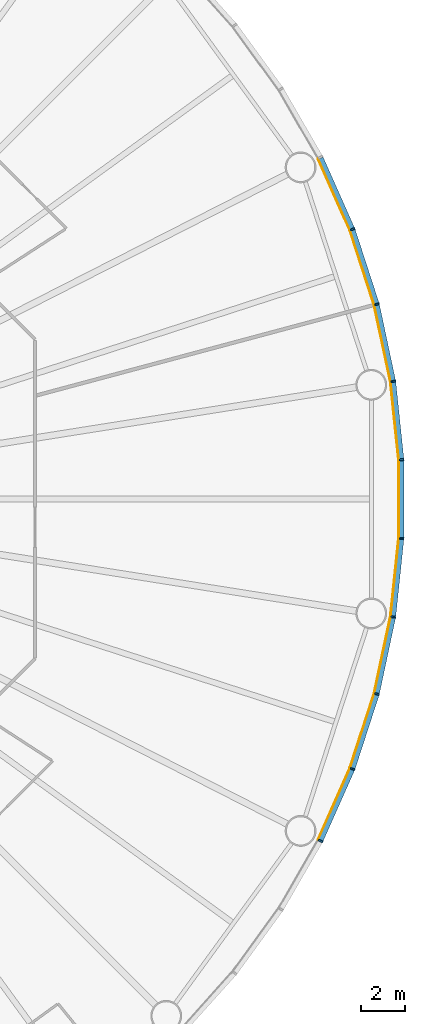
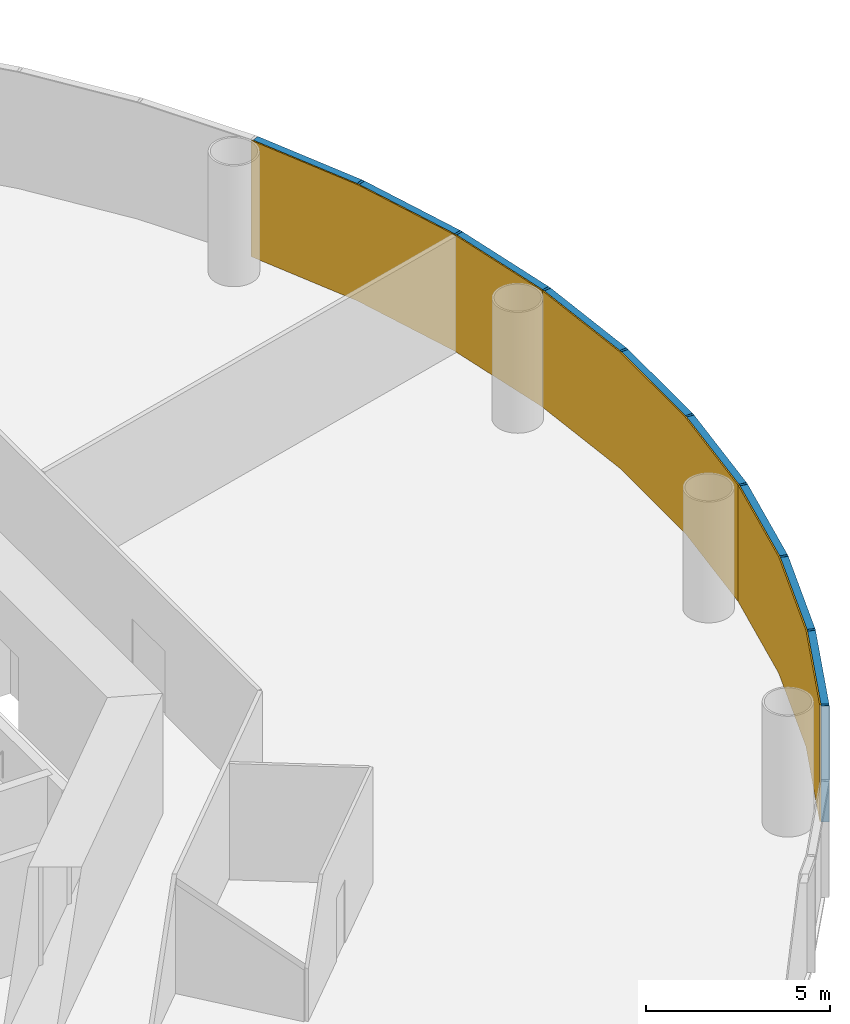
# One storey, part 11 of 13: 18 members, 3 curtain walls.
"""IFC4 building model written with IfcOpenShell, lengths in metres."""

import ifcopenshell
import ifcopenshell.guid

model = None  # the IFC model being written
_history = None  # IfcOwnerHistory: only IFC2X3 demands one
_inside = {}  # id of a spatial element -> (the spatial element, [elements in it])
_under = {}  # id of a project, library or spatial element -> (it, [spatial elements below it])
_declared = {}  # id of a project -> (the project, [libraries it declares])
_typed = {}  # id of a type object -> (the type object, [elements of that type])
_made_of = {}  # id of a material, layer set ... -> (it, [elements and type objects made of it])


def new_model(schema):
    """Start an empty IFC model of exactly this schema.

    Asked for "IFC4X3", IfcOpenShell would pick the latest addendum, in which some entities
    have other attributes; the version numbers below select the first issue.
    IFC2X3 requires an IfcOwnerHistory on every rooted entity: one is made here for all.
    """
    global model, _history
    if schema == "IFC4X3":
        model = ifcopenshell.file(schema_version=(4, 3, 0, 0))
    else:
        model = ifcopenshell.file(schema=schema)
    _inside.clear()
    _under.clear()
    _declared.clear()
    _typed.clear()
    _made_of.clear()
    _history = None
    if model.schema == "IFC2X3":
        org = make("IfcOrganization", Name="unknown")
        user = make(
            "IfcPersonAndOrganization",
            ThePerson=make("IfcPerson", FamilyName="unknown"),
            TheOrganization=org,
        )
        app = make(
            "IfcApplication",
            ApplicationDeveloper=org,
            Version="unknown",
            ApplicationFullName="unknown",
            ApplicationIdentifier="unknown",
        )
        _history = make(
            "IfcOwnerHistory",
            OwningUser=user,
            OwningApplication=app,
            ChangeAction="ADDED",
            CreationDate=0,
        )
    return model


def make(cls, **values):
    """One entity of the class cls with the attributes given. An attribute that is None is left unset."""
    return model.create_entity(
        cls, **{name: value for name, value in values.items() if value is not None}
    )


def rooted(cls, **values):
    """An entity with a GlobalId (a new one), such as an element, a storey or a relation."""
    return make(cls, GlobalId=ifcopenshell.guid.new(), OwnerHistory=_history, **values)


def si_unit(unit_type, name, prefix=None):
    """IfcSIUnit, for example si_unit("LENGTHUNIT", "METRE", prefix="MILLI")."""
    return make("IfcSIUnit", UnitType=unit_type, Prefix=prefix, Name=name)


def assignment(units):
    """IfcUnitAssignment: the units of a project."""
    return None if units is None else make("IfcUnitAssignment", Units=units)


def point(xyz):
    """IfcCartesianPoint."""
    return None if xyz is None else make("IfcCartesianPoint", Coordinates=xyz)


def direction(xyz):
    """IfcDirection."""
    return None if xyz is None else make("IfcDirection", DirectionRatios=xyz)


def frame(location, z_axis=None, x_axis=None):
    """IfcAxis2Placement3D, a coordinate frame: its origin and axes. An axis left out is left unset."""
    return make(
        "IfcAxis2Placement3D",
        Location=point(location),
        Axis=direction(z_axis),
        RefDirection=direction(x_axis),
    )


def frame_2d(location, x_axis=None):
    """IfcAxis2Placement2D, a coordinate frame in the plane: its origin and x axis."""
    return make(
        "IfcAxis2Placement2D", Location=point(location), RefDirection=direction(x_axis)
    )


def origin():
    """The frame at (0, 0, 0) with its axes left unset."""
    return frame((0.0, 0.0, 0.0))


def origin_2d():
    """The frame at (0, 0) in the plane with its x axis left unset."""
    return frame_2d((0.0, 0.0))


def place(relative_to, where):
    """IfcLocalPlacement: puts the frame where relative to a parent placement (None: the world)."""
    return make(
        "IfcLocalPlacement", PlacementRelTo=relative_to, RelativePlacement=where
    )


def context(
    kind, dimensions, precision=None, world=None, true_north=None, identifier=None
):
    """IfcGeometricRepresentationContext, for example the 3D "Model" context."""
    return make(
        "IfcGeometricRepresentationContext",
        ContextIdentifier=identifier,
        ContextType=kind,
        CoordinateSpaceDimension=dimensions,
        Precision=precision,
        WorldCoordinateSystem=world,
        TrueNorth=true_north,
    )


def subcontext(parent, identifier, kind, view, scale=None):
    """IfcGeometricRepresentationSubContext, for example "Body" below "Model"."""
    return make(
        "IfcGeometricRepresentationSubContext",
        ContextIdentifier=identifier,
        ContextType=kind,
        ParentContext=parent,
        TargetScale=scale,
        TargetView=view,
    )


def project(units=None, contexts=None):
    """IfcProject with its units and contexts."""
    return rooted(
        "IfcProject",
        Name="project",
        RepresentationContexts=contexts,
        UnitsInContext=assignment(units),
    )


def spatial(cls, under=None, at=None, **own):
    """A site, building, storey or space (cls), placed at a placement, below another one or the project."""
    s = rooted(cls, ObjectPlacement=at, **own)
    if under is not None:
        _under.setdefault(under.id(), (under, []))[1].append(s)
    return s


def polyline(points):
    """IfcPolyline through the points."""
    return make("IfcPolyline", Points=[point(p) for p in points])


def profile(cls, at=None, kind="AREA", **sizes):
    """A parametric profile (cls). Its sizes go by their IFC names, for example OverallWidth=200.0."""
    return make(cls, ProfileType=kind, Position=at, **sizes)


def rectangle(**sizes):
    """IfcRectangleProfileDef."""
    return profile("IfcRectangleProfileDef", **sizes)


def outline(outer, holes=None, kind="AREA"):
    """IfcArbitraryClosedProfileDef: a profile drawn as a closed curve; with holes, ...WithVoids."""
    if holes is None:
        return make("IfcArbitraryClosedProfileDef", ProfileType=kind, OuterCurve=outer)
    return make(
        "IfcArbitraryProfileDefWithVoids",
        ProfileType=kind,
        OuterCurve=outer,
        InnerCurves=holes,
    )


def extrude(swept, where, along, depth):
    """IfcExtrudedAreaSolid: the profile swept, set in the frame where, extruded along a direction by depth."""
    return make(
        "IfcExtrudedAreaSolid",
        SweptArea=swept,
        Position=where,
        ExtrudedDirection=direction(along),
        Depth=depth,
    )


def shape(context_of_items, identifier, shape_type, items):
    """IfcShapeRepresentation: the items that make up one representation, for example the "Body"."""
    return make(
        "IfcShapeRepresentation",
        ContextOfItems=context_of_items,
        RepresentationIdentifier=identifier,
        RepresentationType=shape_type,
        Items=items,
    )


def material(Name=None, Category=None):
    """IfcMaterial."""
    return make("IfcMaterial", Name=Name, Category=Category)


def layer(
    of_material, thickness, ventilated=None, Name=None, Category=None, Priority=None
):
    """IfcMaterialLayer: one layer of a wall or slab, of a material (None: an air gap)."""
    return make(
        "IfcMaterialLayer",
        Material=of_material,
        LayerThickness=thickness,
        IsVentilated=ventilated,
        Name=Name,
        Category=Category,
        Priority=Priority,
    )


def layer_set(layers, Name=None):
    """IfcMaterialLayerSet."""
    return make("IfcMaterialLayerSet", MaterialLayers=layers, LayerSetName=Name)


def material_profile(
    of_material, cross_section, Name=None, Category=None, Priority=None
):
    """IfcMaterialProfile: a cross section and its material."""
    return make(
        "IfcMaterialProfile",
        Name=Name,
        Material=of_material,
        Profile=cross_section,
        Priority=Priority,
        Category=Category,
    )


def profile_set(profiles, Name=None, composite=None):
    """IfcMaterialProfileSet."""
    return make(
        "IfcMaterialProfileSet",
        Name=Name,
        MaterialProfiles=profiles,
        CompositeProfile=composite,
    )


def made_of(thing, what):
    """Note that an element or type object is made of a material, layer set ...; save() writes the relation."""
    if what is not None:
        _made_of.setdefault(what.id(), (what, []))[1].append(thing)
    return thing


def type_object(cls, material=None, **own):
    """A type object (cls), such as IfcWallType, which elements share."""
    return made_of(rooted(cls, **own), material)


def element(
    cls,
    number,
    at=None,
    inside=None,
    cuts=None,
    type_object=None,
    material=None,
    context=None,
    identifier="Body",
    shape_type=None,
    held_by="IfcProductDefinitionShape",
    body=None,
    shapes=None,
    **own,
):
    """One element of the class cls, such as IfcWall. Its Tag is "e" and its number.

    at: its placement. inside: the storey or other place that contains it. cuts: it is an
    opening in that element (IfcRelVoidsElement). A single representation is given by context,
    identifier, shape_type and body (its items); several are given by shapes. held_by: the class
    of the entity that holds the representations. save() writes the other relations.
    """
    e = rooted(cls, Tag="e%d" % number, ObjectPlacement=at, **own)
    if body is not None:
        shapes = [shape(context, identifier, shape_type, body)]
    if shapes is not None:
        e.Representation = make(held_by, Representations=shapes)
    if inside is not None:
        _inside.setdefault(inside.id(), (inside, []))[1].append(e)
    if cuts is not None:
        rooted(
            "IfcRelVoidsElement", RelatingBuildingElement=cuts, RelatedOpeningElement=e
        )
    if type_object is not None:
        _typed.setdefault(type_object.id(), (type_object, []))[1].append(e)
    return made_of(e, material)


def aggregate(whole, parts):
    """IfcRelAggregates: a whole, such as a stair, and the parts it consists of."""
    return rooted("IfcRelAggregates", RelatingObject=whole, RelatedObjects=parts)


def save(model, path):
    """Write the relations noted so far, then the file.

    IfcRelAggregates (storeys below a building ...), IfcRelContainedInSpatialStructure (elements
    in a storey), IfcRelDefinesByType, IfcRelAssociatesMaterial and IfcRelDeclares: one each for
    every whole, place, type object, material and project.
    """
    for whole, parts in _under.values():
        aggregate(whole, parts)
    for where, things in _inside.values():
        rooted(
            "IfcRelContainedInSpatialStructure",
            RelatedElements=things,
            RelatingStructure=where,
        )
    for kind, things in _typed.values():
        rooted("IfcRelDefinesByType", RelatedObjects=things, RelatingType=kind)
    for what, things in _made_of.values():
        rooted("IfcRelAssociatesMaterial", RelatedObjects=things, RelatingMaterial=what)
    for by, libraries in _declared.values():
        rooted("IfcRelDeclares", RelatingContext=by, RelatedDefinitions=libraries)
    model.write(path)


model = new_model("IFC4")

# Units and contexts
model_context = context("Model", 3, precision=1e-05, world=origin(), true_north=direction((0.0, 1.0)))
body_context = subcontext(model_context, "Body", "Model", "MODEL_VIEW")
ifc_project = project(units=[si_unit("LENGTHUNIT", "METRE"), si_unit("AREAUNIT", "SQUARE_METRE"), si_unit("VOLUMEUNIT", "CUBIC_METRE"), si_unit("PLANEANGLEUNIT", "RADIAN"), si_unit("MASSUNIT", "GRAM", prefix="KILO")], contexts=[model_context])

# Member
ifc_material_1 = material(Name="Anodised aluminium", Category="aluminium")
ifc_material_profile_1 = material_profile(ifc_material_1, rectangle(XDim=0.074951171875, YDim=0.219970703125, at=origin_2d()), Name="Mullion 75 x 220 mm anodised aluminium")
ifc_profile_set_1 = profile_set([ifc_material_profile_1], Name="Anodised aluminium")
member_type_1 = type_object("IfcMemberType", Name="Mullion 75 x 220 mm anodised aluminium", PredefinedType="MULLION", material=ifc_profile_set_1)
site_placement = place(None, origin())
building_placement = place(site_placement, origin())
storey_placement = place(building_placement, frame((0.0, 0.0, 22.0)))
member_1_placement = place(storey_placement, frame((123.68994140625, 85.3359375, 0.0), z_axis=(0.0, 0.0, 1.0), x_axis=(-0.15643446504, 0.987688340595, 0.0)))
member_1 = element("IfcMember", 1, at=member_1_placement, type_object=member_type_1, Name="MULLION L03-00", PredefinedType="MULLION", context=body_context, shape_type="SweptSolid", body=[
    extrude(rectangle(XDim=0.074951171875, YDim=0.219970703125, at=origin_2d()), origin(), (0.0, 0.0, 1.0), 3.85009765625),
])

member_2_placement = place(storey_placement, frame((122.94775390625, 88.828369140625, 0.0), z_axis=(0.0, 0.0, 1.0), x_axis=(-0.258819045103, 0.965925826289, 0.0)))
member_2 = element("IfcMember", 2, at=member_2_placement, type_object=member_type_1, Name="MULLION L03-01", PredefinedType="MULLION", context=body_context, shape_type="SweptSolid", body=[
    extrude(rectangle(XDim=0.074951171875, YDim=0.219970703125, at=origin_2d()), origin(), (0.0, 0.0, 1.0), 3.85009765625),
])

member_3_placement = place(storey_placement, frame((121.844482421875, 92.223876953125, 0.0), z_axis=(0.0, 0.0, 1.0), x_axis=(-0.358367949545, 0.933580426497, 0.0)))
member_3 = element("IfcMember", 3, at=member_3_placement, type_object=member_type_1, Name="MULLION L03-02", PredefinedType="MULLION", context=body_context, shape_type="SweptSolid", body=[
    extrude(rectangle(XDim=0.074951171875, YDim=0.219970703125, at=origin_2d()), origin(), (0.0, 0.0, 1.0), 3.85009765625),
])

member_4_placement = place(storey_placement, frame((120.392333984375, 64.514404296875, 0.0), z_axis=(0.0, 0.0, 1.0), x_axis=(0.45399049974, 0.891006524188, 0.0)))
member_4 = element("IfcMember", 4, at=member_4_placement, type_object=member_type_1, Name="MULLION L03-54", PredefinedType="MULLION", context=body_context, shape_type="SweptSolid", body=[
    extrude(rectangle(XDim=0.074951171875, YDim=0.219970703125, at=origin_2d()), origin(), (0.0, 0.0, 1.0), 3.85009765625),
])

member_5_placement = place(storey_placement, frame((121.844482421875, 67.776123046875, 0.0), z_axis=(0.0, 0.0, 1.0), x_axis=(0.358367949545, 0.933580426497, 0.0)))
member_5 = element("IfcMember", 5, at=member_5_placement, type_object=member_type_1, Name="MULLION L03-55", PredefinedType="MULLION", context=body_context, shape_type="SweptSolid", body=[
    extrude(rectangle(XDim=0.074951171875, YDim=0.219970703125, at=origin_2d()), origin(), (0.0, 0.0, 1.0), 3.85009765625),
])

member_6_placement = place(storey_placement, frame((122.94775390625, 71.171630859375, 0.0), z_axis=(0.0, 0.0, 1.0), x_axis=(0.258819045103, 0.965925826289, 0.0)))
member_6 = element("IfcMember", 6, at=member_6_placement, type_object=member_type_1, Name="MULLION L03-56", PredefinedType="MULLION", context=body_context, shape_type="SweptSolid", body=[
    extrude(rectangle(XDim=0.074951171875, YDim=0.219970703125, at=origin_2d()), origin(), (0.0, 0.0, 1.0), 3.85009765625),
])

member_7_placement = place(storey_placement, frame((123.68994140625, 74.6640625, 0.0), z_axis=(0.0, 0.0, 1.0), x_axis=(0.15643446504, 0.987688340595, 0.0)))
member_7 = element("IfcMember", 7, at=member_7_placement, type_object=member_type_1, Name="MULLION L03-57", PredefinedType="MULLION", context=body_context, shape_type="SweptSolid", body=[
    extrude(rectangle(XDim=0.074951171875, YDim=0.219970703125, at=origin_2d()), origin(), (0.0, 0.0, 1.0), 3.85009765625),
])

member_8_placement = place(storey_placement, frame((124.063232421875, 78.21484375, 0.0), z_axis=(0.0, 0.0, 1.0), x_axis=(0.052335956243, 0.998629534755, 0.0)))
member_8 = element("IfcMember", 8, at=member_8_placement, type_object=member_type_1, Name="MULLION L03-58", PredefinedType="MULLION", context=body_context, shape_type="SweptSolid", body=[
    extrude(rectangle(XDim=0.074951171875, YDim=0.219970703125, at=origin_2d()), origin(), (0.0, 0.0, 1.0), 3.85009765625),
])

member_9_placement = place(storey_placement, frame((124.063232421875, 81.78515625, 0.0), z_axis=(0.0, 0.0, 1.0), x_axis=(-0.052335956243, 0.998629534755, 0.0)))
member_9 = element("IfcMember", 9, at=member_9_placement, type_object=member_type_1, Name="MULLION L03-59", PredefinedType="MULLION", context=body_context, shape_type="SweptSolid", body=[
    extrude(rectangle(XDim=0.074951171875, YDim=0.219970703125, at=origin_2d()), origin(), (0.0, 0.0, 1.0), 3.85009765625),
])

ifc_material_2 = material(Name="Anodised aluminium", Category="aluminium")
ifc_material_profile_2 = material_profile(ifc_material_2, rectangle(XDim=0.219970703125, YDim=0.199951171875, at=origin_2d()), Name="Transom 200 x 220 mm anodised aluminium")
ifc_profile_set_2 = profile_set([ifc_material_profile_2], Name="Anodised aluminium")
member_type_2 = type_object("IfcMemberType", Name="Transom 200 x 220 mm anodised aluminium", PredefinedType="USERDEFINED", material=ifc_profile_set_2)
member_10_placement = place(storey_placement, frame((123.68115234375, 85.37841796875, 3.75), z_axis=(-0.207920776701, 0.978145669426, 0.0), x_axis=(-0.978145669426, -0.207920776701, 0.0)))
member_10 = element("IfcMember", 10, at=member_10_placement, type_object=member_type_2, Name="TRANSOM L03-00", ObjectType="TRANSOM", PredefinedType="USERDEFINED", context=body_context, shape_type="SweptSolid", body=[
    extrude(rectangle(XDim=0.219970703125, YDim=0.199951171875, at=origin_2d()), origin(), (0.0, 0.0, 1.0), 3.48388671875),
])

member_11_placement = place(storey_placement, frame((122.9345703125, 88.869384765625, 3.75), z_axis=(-0.309029029702, 0.951052605696, 0.0), x_axis=(-0.951052605696, -0.309029029702, 0.0)))
member_11 = element("IfcMember", 11, at=member_11_placement, type_object=member_type_2, Name="TRANSOM L03-01", ObjectType="TRANSOM", PredefinedType="USERDEFINED", context=body_context, shape_type="SweptSolid", body=[
    extrude(rectangle(XDim=0.219970703125, YDim=0.199951171875, at=origin_2d()), origin(), (0.0, 0.0, 1.0), 3.484130859375),
])

member_12_placement = place(storey_placement, frame((121.826904296875, 92.263427734375, 3.75), z_axis=(-0.406736576304, 0.913545487371, 0.0), x_axis=(-0.913545487371, -0.406736576304, 0.0)))
member_12 = element("IfcMember", 12, at=member_12_placement, type_object=member_type_2, Name="TRANSOM L03-02", ObjectType="TRANSOM", PredefinedType="USERDEFINED", context=body_context, shape_type="SweptSolid", body=[
    extrude(rectangle(XDim=0.219970703125, YDim=0.199951171875, at=origin_2d()), origin(), (0.0, 0.0, 1.0), 3.48388671875),
])

member_13_placement = place(storey_placement, frame((120.409912109375, 64.553955078125, 3.75), z_axis=(0.406736576304, 0.913545487371, 0.0), x_axis=(-0.913545487371, 0.406736576304, 0.0)))
member_13 = element("IfcMember", 13, at=member_13_placement, type_object=member_type_2, Name="TRANSOM L03-54", ObjectType="TRANSOM", PredefinedType="USERDEFINED", context=body_context, shape_type="SweptSolid", body=[
    extrude(rectangle(XDim=0.219970703125, YDim=0.199951171875, at=origin_2d()), origin(), (0.0, 0.0, 1.0), 3.48388671875),
])

member_14_placement = place(storey_placement, frame((121.85791015625, 67.817138671875, 3.75), z_axis=(0.309029029702, 0.951052605696, 0.0), x_axis=(-0.951052605696, 0.309029029702, 0.0)))
member_14 = element("IfcMember", 14, at=member_14_placement, type_object=member_type_2, Name="TRANSOM L03-55", ObjectType="TRANSOM", PredefinedType="USERDEFINED", context=body_context, shape_type="SweptSolid", body=[
    extrude(rectangle(XDim=0.219970703125, YDim=0.199951171875, at=origin_2d()), origin(), (0.0, 0.0, 1.0), 3.484130859375),
])

member_15_placement = place(storey_placement, frame((122.956787109375, 71.2138671875, 3.75), z_axis=(0.207920776701, 0.978145669426, 0.0), x_axis=(-0.978145669426, 0.207920776701, 0.0)))
member_15 = element("IfcMember", 15, at=member_15_placement, type_object=member_type_2, Name="TRANSOM L03-56", ObjectType="TRANSOM", PredefinedType="USERDEFINED", context=body_context, shape_type="SweptSolid", body=[
    extrude(rectangle(XDim=0.219970703125, YDim=0.199951171875, at=origin_2d()), origin(), (0.0, 0.0, 1.0), 3.48388671875),
])

member_16_placement = place(storey_placement, frame((123.69482421875, 74.70703125, 3.75), z_axis=(0.104484152234, 0.994526551648, 0.0), x_axis=(-0.994526551648, 0.104484152234, 0.0)))
member_16 = element("IfcMember", 16, at=member_16_placement, type_object=member_type_2, Name="TRANSOM L03-57", ObjectType="TRANSOM", PredefinedType="USERDEFINED", context=body_context, shape_type="SweptSolid", body=[
    extrude(rectangle(XDim=0.219970703125, YDim=0.199951171875, at=origin_2d()), origin(), (0.0, 0.0, 1.0), 3.48388671875),
])

member_17_placement = place(storey_placement, frame((124.0634765625, 78.258056640625, 3.75), z_axis=(0.0, 1.0, 0.0), x_axis=(-1.0, 0.0, 0.0)))
member_17 = element("IfcMember", 17, at=member_17_placement, type_object=member_type_2, Name="TRANSOM L03-58", ObjectType="TRANSOM", PredefinedType="USERDEFINED", context=body_context, shape_type="SweptSolid", body=[
    extrude(rectangle(XDim=0.219970703125, YDim=0.199951171875, at=origin_2d()), origin(), (0.0, 0.0, 1.0), 3.48388671875),
])

member_18_placement = place(storey_placement, frame((124.058837890625, 81.828125, 3.75), z_axis=(-0.104484152234, 0.994526551648, 0.0), x_axis=(-0.994526551648, -0.104484152234, 0.0)))
member_18 = element("IfcMember", 18, at=member_18_placement, type_object=member_type_2, Name="TRANSOM L03-59", ObjectType="TRANSOM", PredefinedType="USERDEFINED", context=body_context, shape_type="SweptSolid", body=[
    extrude(rectangle(XDim=0.219970703125, YDim=0.199951171875, at=origin_2d()), origin(), (0.0, 0.0, 1.0), 3.48388671875),
])

# Site, building, storey
site = spatial("IfcSite", under=ifc_project, at=site_placement, CompositionType="ELEMENT")
building = spatial("IfcBuilding", under=site, at=building_placement, Name="Entoto Ring Tower", CompositionType="ELEMENT")
storey = spatial("IfcBuildingStorey", under=building, at=storey_placement, Name="L03", CompositionType="ELEMENT", Elevation=22.0)

# Curtain wall
ifc_material_3 = material(Name="Clear low-iron glass", Category="glass")
ifc_layer = layer(ifc_material_3, 0.0400390625)
ifc_layer_set = layer_set([ifc_layer], Name="Clear low-iron glass")
curtain_wall_type = type_object("IfcCurtainWallType", Name="Curtain wall system CW1 glazing 40 mm", PredefinedType="NOTDEFINED", material=ifc_layer_set)
curtain_wall_1_placement = place(storey_placement, origin())
curtain_wall_1 = element("IfcCurtainWall", 19, at=curtain_wall_1_placement, inside=storey, type_object=curtain_wall_type, Name="CW1 L03-01", PredefinedType="NOTDEFINED", context=body_context, shape_type="SweptSolid", body=[
    extrude(outline(polyline([(123.581298828125, 85.31884765625), (122.841552734375, 88.7998046875), (121.74169921875, 92.1845703125), (120.294189453125, 95.435791015625), (120.258544921875, 95.41748046875), (121.704345703125, 92.170166015625), (122.802734375, 88.78955078125), (123.541748046875, 85.3125), (123.581298828125, 85.31884765625)])), origin(), (0.0, 0.0, 1.0), 3.85009765625),
])

aggregate(curtain_wall_1, [member_1, member_2, member_3, member_10, member_11, member_12])

curtain_wall_2_placement = place(storey_placement, origin())
curtain_wall_2 = element("IfcCurtainWall", 20, at=curtain_wall_2_placement, inside=storey, type_object=curtain_wall_type, Name="CW1 L03-19", PredefinedType="NOTDEFINED", context=body_context, shape_type="SweptSolid", body=[
    extrude(outline(polyline([(120.294189453125, 64.564208984375), (121.74169921875, 67.8154296875), (122.841552734375, 71.2001953125), (123.581298828125, 74.68115234375), (123.541748046875, 74.6875), (122.802734375, 71.21044921875), (121.704345703125, 67.829833984375), (120.258544921875, 64.58251953125), (120.294189453125, 64.564208984375)])), origin(), (0.0, 0.0, 1.0), 3.85009765625),
])

aggregate(curtain_wall_2, [member_4, member_5, member_6, member_13, member_14, member_15])

curtain_wall_3_placement = place(storey_placement, origin())
curtain_wall_3 = element("IfcCurtainWall", 21, at=curtain_wall_3_placement, inside=storey, type_object=curtain_wall_type, Name="CW1 L03-20", PredefinedType="NOTDEFINED", context=body_context, shape_type="SweptSolid", body=[
    extrude(outline(polyline([(123.581298828125, 74.68115234375), (123.953369140625, 78.220458984375), (123.953369140625, 81.779541015625), (123.581298828125, 85.31884765625), (123.541748046875, 85.3125), (123.913330078125, 81.77734375), (123.913330078125, 78.22265625), (123.541748046875, 74.6875), (123.581298828125, 74.68115234375)])), origin(), (0.0, 0.0, 1.0), 3.85009765625),
])

aggregate(curtain_wall_3, [member_7, member_8, member_9, member_16, member_17, member_18])

save(model, "model.ifc")
